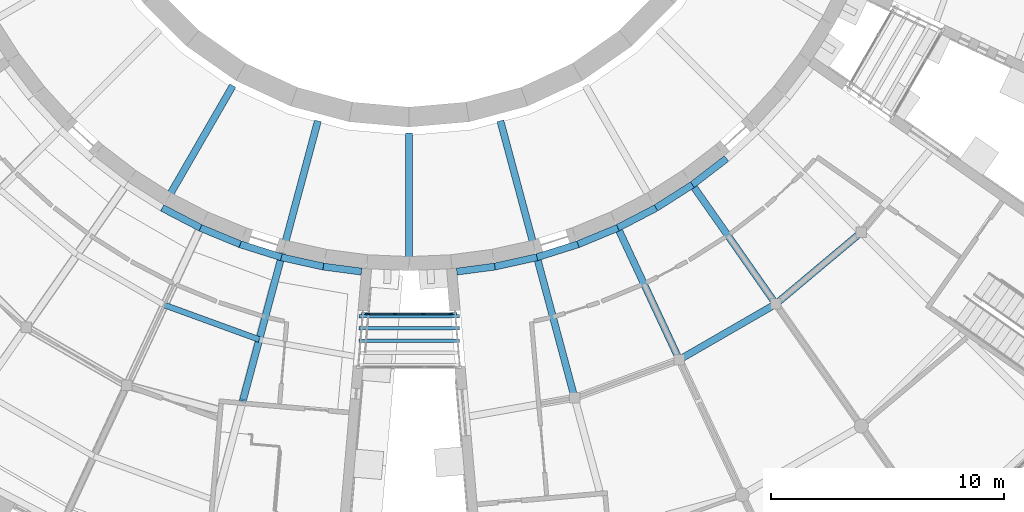
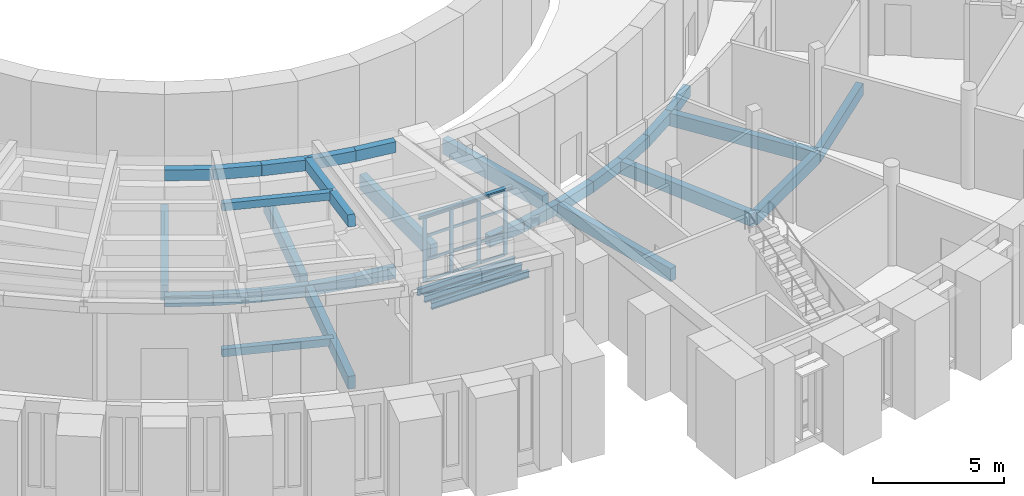
# One storey, part 7 of 66: 34 beams, 16 members, 1 element without a shape of its own.
"""IFC4 building model written with IfcOpenShell, lengths in metres."""

import ifcopenshell
import ifcopenshell.guid

model = None  # the IFC model being written
_history = None  # IfcOwnerHistory: only IFC2X3 demands one
_inside = {}  # id of a spatial element -> (the spatial element, [elements in it])
_under = {}  # id of a project, library or spatial element -> (it, [spatial elements below it])
_declared = {}  # id of a project -> (the project, [libraries it declares])
_typed = {}  # id of a type object -> (the type object, [elements of that type])
_made_of = {}  # id of a material, layer set ... -> (it, [elements and type objects made of it])


def new_model(schema):
    """Start an empty IFC model of exactly this schema.

    Asked for "IFC4X3", IfcOpenShell would pick the latest addendum, in which some entities
    have other attributes; the version numbers below select the first issue.
    IFC2X3 requires an IfcOwnerHistory on every rooted entity: one is made here for all.
    """
    global model, _history
    if schema == "IFC4X3":
        model = ifcopenshell.file(schema_version=(4, 3, 0, 0))
    else:
        model = ifcopenshell.file(schema=schema)
    _inside.clear()
    _under.clear()
    _declared.clear()
    _typed.clear()
    _made_of.clear()
    _history = None
    if model.schema == "IFC2X3":
        org = make("IfcOrganization", Name="unknown")
        user = make(
            "IfcPersonAndOrganization",
            ThePerson=make("IfcPerson", FamilyName="unknown"),
            TheOrganization=org,
        )
        app = make(
            "IfcApplication",
            ApplicationDeveloper=org,
            Version="unknown",
            ApplicationFullName="unknown",
            ApplicationIdentifier="unknown",
        )
        _history = make(
            "IfcOwnerHistory",
            OwningUser=user,
            OwningApplication=app,
            ChangeAction="ADDED",
            CreationDate=0,
        )
    return model


def make(cls, **values):
    """One entity of the class cls with the attributes given. An attribute that is None is left unset."""
    return model.create_entity(
        cls, **{name: value for name, value in values.items() if value is not None}
    )


def rooted(cls, **values):
    """An entity with a GlobalId (a new one), such as an element, a storey or a relation."""
    return make(cls, GlobalId=ifcopenshell.guid.new(), OwnerHistory=_history, **values)


def si_unit(unit_type, name, prefix=None):
    """IfcSIUnit, for example si_unit("LENGTHUNIT", "METRE", prefix="MILLI")."""
    return make("IfcSIUnit", UnitType=unit_type, Prefix=prefix, Name=name)


def assignment(units):
    """IfcUnitAssignment: the units of a project."""
    return None if units is None else make("IfcUnitAssignment", Units=units)


def point(xyz):
    """IfcCartesianPoint."""
    return None if xyz is None else make("IfcCartesianPoint", Coordinates=xyz)


def direction(xyz):
    """IfcDirection."""
    return None if xyz is None else make("IfcDirection", DirectionRatios=xyz)


def frame(location, z_axis=None, x_axis=None):
    """IfcAxis2Placement3D, a coordinate frame: its origin and axes. An axis left out is left unset."""
    return make(
        "IfcAxis2Placement3D",
        Location=point(location),
        Axis=direction(z_axis),
        RefDirection=direction(x_axis),
    )


def frame_2d(location, x_axis=None):
    """IfcAxis2Placement2D, a coordinate frame in the plane: its origin and x axis."""
    return make(
        "IfcAxis2Placement2D", Location=point(location), RefDirection=direction(x_axis)
    )


def origin():
    """The frame at (0, 0, 0) with its axes left unset."""
    return frame((0.0, 0.0, 0.0))


def origin_2d():
    """The frame at (0, 0) in the plane with its x axis left unset."""
    return frame_2d((0.0, 0.0))


def place(relative_to, where):
    """IfcLocalPlacement: puts the frame where relative to a parent placement (None: the world)."""
    return make(
        "IfcLocalPlacement", PlacementRelTo=relative_to, RelativePlacement=where
    )


def context(
    kind, dimensions, precision=None, world=None, true_north=None, identifier=None
):
    """IfcGeometricRepresentationContext, for example the 3D "Model" context."""
    return make(
        "IfcGeometricRepresentationContext",
        ContextIdentifier=identifier,
        ContextType=kind,
        CoordinateSpaceDimension=dimensions,
        Precision=precision,
        WorldCoordinateSystem=world,
        TrueNorth=true_north,
    )


def subcontext(parent, identifier, kind, view, scale=None):
    """IfcGeometricRepresentationSubContext, for example "Body" below "Model"."""
    return make(
        "IfcGeometricRepresentationSubContext",
        ContextIdentifier=identifier,
        ContextType=kind,
        ParentContext=parent,
        TargetScale=scale,
        TargetView=view,
    )


def project(units=None, contexts=None):
    """IfcProject with its units and contexts."""
    return rooted(
        "IfcProject",
        Name="project",
        RepresentationContexts=contexts,
        UnitsInContext=assignment(units),
    )


def spatial(cls, under=None, at=None, **own):
    """A site, building, storey or space (cls), placed at a placement, below another one or the project."""
    s = rooted(cls, ObjectPlacement=at, **own)
    if under is not None:
        _under.setdefault(under.id(), (under, []))[1].append(s)
    return s


def profile(cls, at=None, kind="AREA", **sizes):
    """A parametric profile (cls). Its sizes go by their IFC names, for example OverallWidth=200.0."""
    return make(cls, ProfileType=kind, Position=at, **sizes)


def rectangle(**sizes):
    """IfcRectangleProfileDef."""
    return profile("IfcRectangleProfileDef", **sizes)


def i_section(**sizes):
    """IfcIShapeProfileDef."""
    return profile("IfcIShapeProfileDef", **sizes)


def extrude(swept, where, along, depth):
    """IfcExtrudedAreaSolid: the profile swept, set in the frame where, extruded along a direction by depth."""
    return make(
        "IfcExtrudedAreaSolid",
        SweptArea=swept,
        Position=where,
        ExtrudedDirection=direction(along),
        Depth=depth,
    )


def shape(context_of_items, identifier, shape_type, items):
    """IfcShapeRepresentation: the items that make up one representation, for example the "Body"."""
    return make(
        "IfcShapeRepresentation",
        ContextOfItems=context_of_items,
        RepresentationIdentifier=identifier,
        RepresentationType=shape_type,
        Items=items,
    )


def material(Name=None, Category=None):
    """IfcMaterial."""
    return make("IfcMaterial", Name=Name, Category=Category)


def layer(
    of_material, thickness, ventilated=None, Name=None, Category=None, Priority=None
):
    """IfcMaterialLayer: one layer of a wall or slab, of a material (None: an air gap)."""
    return make(
        "IfcMaterialLayer",
        Material=of_material,
        LayerThickness=thickness,
        IsVentilated=ventilated,
        Name=Name,
        Category=Category,
        Priority=Priority,
    )


def layer_set(layers, Name=None):
    """IfcMaterialLayerSet."""
    return make("IfcMaterialLayerSet", MaterialLayers=layers, LayerSetName=Name)


def material_profile(
    of_material, cross_section, Name=None, Category=None, Priority=None
):
    """IfcMaterialProfile: a cross section and its material."""
    return make(
        "IfcMaterialProfile",
        Name=Name,
        Material=of_material,
        Profile=cross_section,
        Priority=Priority,
        Category=Category,
    )


def profile_set(profiles, Name=None, composite=None):
    """IfcMaterialProfileSet."""
    return make(
        "IfcMaterialProfileSet",
        Name=Name,
        MaterialProfiles=profiles,
        CompositeProfile=composite,
    )


def made_of(thing, what):
    """Note that an element or type object is made of a material, layer set ...; save() writes the relation."""
    if what is not None:
        _made_of.setdefault(what.id(), (what, []))[1].append(thing)
    return thing


def type_object(cls, material=None, **own):
    """A type object (cls), such as IfcWallType, which elements share."""
    return made_of(rooted(cls, **own), material)


def element(
    cls,
    number,
    at=None,
    inside=None,
    cuts=None,
    type_object=None,
    material=None,
    context=None,
    identifier="Body",
    shape_type=None,
    held_by="IfcProductDefinitionShape",
    body=None,
    shapes=None,
    **own,
):
    """One element of the class cls, such as IfcWall. Its Tag is "e" and its number.

    at: its placement. inside: the storey or other place that contains it. cuts: it is an
    opening in that element (IfcRelVoidsElement). A single representation is given by context,
    identifier, shape_type and body (its items); several are given by shapes. held_by: the class
    of the entity that holds the representations. save() writes the other relations.
    """
    e = rooted(cls, Tag="e%d" % number, ObjectPlacement=at, **own)
    if body is not None:
        shapes = [shape(context, identifier, shape_type, body)]
    if shapes is not None:
        e.Representation = make(held_by, Representations=shapes)
    if inside is not None:
        _inside.setdefault(inside.id(), (inside, []))[1].append(e)
    if cuts is not None:
        rooted(
            "IfcRelVoidsElement", RelatingBuildingElement=cuts, RelatedOpeningElement=e
        )
    if type_object is not None:
        _typed.setdefault(type_object.id(), (type_object, []))[1].append(e)
    return made_of(e, material)


def aggregate(whole, parts):
    """IfcRelAggregates: a whole, such as a stair, and the parts it consists of."""
    return rooted("IfcRelAggregates", RelatingObject=whole, RelatedObjects=parts)


def save(model, path):
    """Write the relations noted so far, then the file.

    IfcRelAggregates (storeys below a building ...), IfcRelContainedInSpatialStructure (elements
    in a storey), IfcRelDefinesByType, IfcRelAssociatesMaterial and IfcRelDeclares: one each for
    every whole, place, type object, material and project.
    """
    for whole, parts in _under.values():
        aggregate(whole, parts)
    for where, things in _inside.values():
        rooted(
            "IfcRelContainedInSpatialStructure",
            RelatedElements=things,
            RelatingStructure=where,
        )
    for kind, things in _typed.values():
        rooted("IfcRelDefinesByType", RelatedObjects=things, RelatingType=kind)
    for what, things in _made_of.values():
        rooted("IfcRelAssociatesMaterial", RelatedObjects=things, RelatingMaterial=what)
    for by, libraries in _declared.values():
        rooted("IfcRelDeclares", RelatingContext=by, RelatedDefinitions=libraries)
    model.write(path)


model = new_model("IFC4")

# Units and contexts
model_context = context("Model", 3, precision=1e-05, world=origin(), true_north=direction((0.0, 1.0)))
body_context = subcontext(model_context, "Body", "Model", "MODEL_VIEW")
ifc_project = project(units=[si_unit("LENGTHUNIT", "METRE"), si_unit("AREAUNIT", "SQUARE_METRE"), si_unit("VOLUMEUNIT", "CUBIC_METRE"), si_unit("PLANEANGLEUNIT", "RADIAN"), si_unit("MASSUNIT", "GRAM", prefix="KILO")], contexts=[model_context])

# Site, building, storey
site_placement = place(None, origin())
site = spatial("IfcSite", under=ifc_project, at=site_placement, CompositionType="ELEMENT")
building_placement = place(site_placement, origin())
building = spatial("IfcBuilding", under=site, at=building_placement, Name="Volute Hill Aquarium", CompositionType="ELEMENT")
storey_placement = place(building_placement, frame((0.0, 0.0, 4.60009765625)))
storey = spatial("IfcBuildingStorey", under=building, at=storey_placement, Name="L02", CompositionType="ELEMENT", Elevation=4.60009765625)

# Beams
ifc_material_1 = material(Name="Concrete C35/45", Category="concrete")
ifc_material_profile_1 = material_profile(ifc_material_1, rectangle(XDim=0.300048828125, YDim=0.550048828125, at=origin_2d()), Name="RC beam 300x550")
ifc_profile_set_1 = profile_set([ifc_material_profile_1], Name="Concrete C35/45")
beam_type_1 = type_object("IfcBeamType", Name="Beam 300x550 C35/45", PredefinedType="BEAM", material=ifc_profile_set_1)
beam_1_placement = place(storey_placement, frame((11.57275390625, -24.817626953125, -0.545166015625), z_axis=(0.86602800421, 0.499995495904, 0.0), x_axis=(-0.499995495904, 0.86602800421, 0.0)))
element("IfcBeam", 1, at=beam_1_placement, inside=storey, type_object=beam_type_1, Name="bm/S3/L02/ring1.15", PredefinedType="BEAM", context=body_context, shape_type="SweptSolid", body=[
    extrude(rectangle(XDim=0.300048828125, YDim=0.550048828125, at=origin_2d()), origin(), (0.0, 0.0, 1.0), 4.77294921875),
])
beam_2_placement = place(storey_placement, frame((15.706298828125, -22.43115234375, -0.545166015625), z_axis=(0.766024173382, 0.642811765445, 0.0), x_axis=(-0.642811765445, 0.766024173382, 0.0)))
element("IfcBeam", 2, at=beam_2_placement, inside=storey, type_object=beam_type_1, Name="bm/S3/L02/ring1.16", PredefinedType="BEAM", context=body_context, shape_type="SweptSolid", body=[
    extrude(rectangle(XDim=0.300048828125, YDim=0.550048828125, at=origin_2d()), origin(), (0.0, 0.0, 1.0), 4.7734375),
])
ifc_material_2 = material(Name="Concrete C35/45", Category="concrete")
ifc_material_profile_2 = material_profile(ifc_material_2, rectangle(XDim=0.300048828125, YDim=0.60009765625, at=origin_2d()), Name="RC beam 300x600")
ifc_profile_set_2 = profile_set([ifc_material_profile_2], Name="Concrete C35/45")
beam_type_2 = type_object("IfcBeamType", Name="Beam 300x600 C35/45", PredefinedType="BEAM", material=ifc_profile_set_2)
beam_3_placement = place(storey_placement, frame((-5.435302734375, -20.284423828125, -0.56005859375), z_axis=(-0.258823456338, -0.965924644291, 0.0), x_axis=(0.965924644291, -0.258823456338, 0.0)))
element("IfcBeam", 3, at=beam_3_placement, inside=storey, type_object=beam_type_2, Name="bm/S2/L02/rad4.7", PredefinedType="BEAM", context=body_context, shape_type="SweptSolid", body=[
    extrude(rectangle(XDim=0.300048828125, YDim=0.60009765625, at=origin_2d()), origin(), (0.0, 0.0, 1.0), 6.51806640625),
])
for number, where, z_axis, x_axis, name in (
    (4, (5.435302734375, -20.284423828125, -0.570068359375), (0.258817016244, -0.965926369918, 0.0), (0.965926369918, 0.258817016244, 0.0), "bm/S3/L02/rad1.1"),
    (5, (8.875, -19.032470703125, -0.570068359375), (0.422630002843, -0.906302311978, 0.0), (0.906302311978, 0.422630002843, 0.0), "bm/S3/L02/rad2.4"),
    (6, (12.045166015625, -17.2021484375, -0.570068359375), (0.573549615778, -0.819170823602, 0.0), (0.819170823602, 0.573549615778, 0.0), "bm/S3/L02/rad3.7"),
):
    element("IfcBeam", number, at=place(storey_placement, frame(where, z_axis=z_axis, x_axis=x_axis)), inside=storey, type_object=beam_type_2, Name=name, PredefinedType="BEAM", context=body_context, shape_type="SweptSolid", body=[
        extrude(rectangle(XDim=0.300048828125, YDim=0.60009765625, at=origin_2d()), origin(), (0.0, 0.0, 1.0), 6.38330078125),
    ])
ifc_material_3 = material(Name="Steel S355", Category="steel")
ifc_material_profile_3 = material_profile(ifc_material_3, i_section(OverallWidth=0.14990234375, OverallDepth=0.300048828125, WebThickness=0.007080078125, FlangeThickness=0.0107421875, FilletRadius=0.014892578125, at=origin_2d()), Name="IPE 300")
ifc_profile_set_3 = profile_set([ifc_material_profile_3], Name="Steel S355")
beam_type_3 = type_object("IfcBeamType", Name="Bridge deck beam IPE 300", PredefinedType="BEAM", material=ifc_profile_set_3)
for number, where, z_axis, x_axis, name in (
    (7, (-2.14892578125, -22.949951171875, -0.300048828125), (1.0, 0.0, 0.0), (0.0, 1.0, 0.0), "br/SC3/L02/db0"),
    (8, (-2.14892578125, -23.47509765625, -0.300048828125), (1.0, 0.0, 0.0), (0.0, 1.0, 0.0), "br/SC3/L02/db1"),
    (9, (-2.14892578125, -24.0, -0.300048828125), (1.0, 0.0, 0.0), (0.0, 1.0, 0.0), "br/SC3/L02/db2"),
):
    element("IfcBeam", number, at=place(storey_placement, frame(where, z_axis=z_axis, x_axis=x_axis)), inside=storey, type_object=beam_type_3, Name=name, PredefinedType="BEAM", context=body_context, shape_type="SweptSolid", body=[
        extrude(i_section(OverallWidth=0.14990234375, OverallDepth=0.300048828125, WebThickness=0.007080078125, FlangeThickness=0.0107421875, FilletRadius=0.014892578125, at=origin_2d()), origin(), (0.0, 0.0, 1.0), 4.2978515625),
    ])

# Curtain wall, members
ifc_material_4 = material(Name="Aluminium and glass", Category="aluminium")
ifc_layer = layer(ifc_material_4, 0.1201171875)
ifc_layer_set = layer_set([ifc_layer], Name="Bridge curtain wall")
curtain_wall_type = type_object("IfcCurtainWallType", Name="Bridge curtain wall", PredefinedType="NOTDEFINED", material=ifc_layer_set)
curtain_wall_placement = place(storey_placement, origin())
curtain_wall = element("IfcCurtainWall", 10, at=curtain_wall_placement, inside=storey, type_object=curtain_wall_type, Name="br/SC3/L02/cwa", PredefinedType="NOTDEFINED")
ifc_material_5 = material(Name="Aluminium", Category="aluminium")
ifc_material_profile_4 = material_profile(ifc_material_5, rectangle(XDim=0.06005859375, YDim=0.159912109375, at=origin_2d()), Name="Aluminium mullion 60x160")
ifc_profile_set_4 = profile_set([ifc_material_profile_4], Name="Aluminium")
member_type_1 = type_object("IfcMemberType", Name="Bridge mullion 60x160", PredefinedType="MULLION", material=ifc_profile_set_4)
member_1_placement = place(storey_placement, frame((-1.769287109375, -22.860107421875, 0.0), z_axis=(0.0, 0.0, 1.0), x_axis=(0.0, 1.0, 0.0)))
member_1 = element("IfcMember", 11, at=member_1_placement, type_object=member_type_1, Name="BR5 mullion 1", PredefinedType="MULLION", context=body_context, shape_type="SweptSolid", body=[
    extrude(rectangle(XDim=0.06005859375, YDim=0.159912109375, at=origin_2d()), origin(), (0.0, 0.0, 1.0), 3.0),
])
member_2_placement = place(storey_placement, frame((-0.599853515625, -22.860107421875, 0.0), z_axis=(0.0, 0.0, 1.0), x_axis=(0.0, 1.0, 0.0)))
member_2 = element("IfcMember", 12, at=member_2_placement, type_object=member_type_1, Name="BR5 mullion 2", PredefinedType="MULLION", context=body_context, shape_type="SweptSolid", body=[
    extrude(rectangle(XDim=0.06005859375, YDim=0.159912109375, at=origin_2d()), origin(), (0.0, 0.0, 1.0), 3.0),
])
member_3_placement = place(storey_placement, frame((0.599853515625, -22.860107421875, 0.0), z_axis=(0.0, 0.0, 1.0), x_axis=(0.0, 1.0, 0.0)))
member_3 = element("IfcMember", 13, at=member_3_placement, type_object=member_type_1, Name="BR5 mullion 3", PredefinedType="MULLION", context=body_context, shape_type="SweptSolid", body=[
    extrude(rectangle(XDim=0.06005859375, YDim=0.159912109375, at=origin_2d()), origin(), (0.0, 0.0, 1.0), 3.0),
])
member_4_placement = place(storey_placement, frame((1.769287109375, -22.860107421875, 0.0), z_axis=(0.0, 0.0, 1.0), x_axis=(0.0, 1.0, 0.0)))
member_4 = element("IfcMember", 14, at=member_4_placement, type_object=member_type_1, Name="BR5 mullion 4", PredefinedType="MULLION", context=body_context, shape_type="SweptSolid", body=[
    extrude(rectangle(XDim=0.06005859375, YDim=0.159912109375, at=origin_2d()), origin(), (0.0, 0.0, 1.0), 3.0),
])

# Beam
ifc_material_6 = material(Name="Steel S355", Category="steel")
ifc_material_profile_5 = material_profile(ifc_material_6, i_section(OverallWidth=0.159912109375, OverallDepth=0.152099609375, WebThickness=0.006103515625, FlangeThickness=0.009033203125, FilletRadius=0.014892578125, at=origin_2d()), Name="HEA 160")
ifc_profile_set_5 = profile_set([ifc_material_profile_5], Name="Steel S355")
beam_type_4 = type_object("IfcBeamType", Name="Bridge roof edge beam HEA 160", PredefinedType="BEAM", material=ifc_profile_set_5)
beam_4_placement = place(storey_placement, frame((-2.051025390625, -22.8798828125, 3.075927734375), z_axis=(1.0, 0.0, 0.0), x_axis=(0.0, 1.0, 0.0)))
element("IfcBeam", 15, at=beam_4_placement, inside=storey, type_object=beam_type_4, Name="br/SC3/L02/rba", PredefinedType="BEAM", context=body_context, shape_type="SweptSolid", body=[
    extrude(i_section(OverallWidth=0.159912109375, OverallDepth=0.152099609375, WebThickness=0.006103515625, FlangeThickness=0.009033203125, FilletRadius=0.014892578125, at=origin_2d()), origin(), (0.0, 0.0, 1.0), 4.10205078125),
])

# Member
ifc_material_7 = material(Name="Aluminium", Category="aluminium")
ifc_material_profile_6 = material_profile(ifc_material_7, rectangle(XDim=0.06005859375, YDim=0.1201171875, at=origin_2d()), Name="Aluminium transom 60x120")
ifc_profile_set_6 = profile_set([ifc_material_profile_6], Name="Aluminium")
member_type_2 = type_object("IfcMemberType", Name="Bridge transom 60x120", PredefinedType="USERDEFINED", material=ifc_profile_set_6)
member_5_placement = place(storey_placement, frame((-1.7392578125, -22.860107421875, 0.02978515625), z_axis=(1.0, 0.0, 0.0), x_axis=(0.0, 1.0, 0.0)))
member_5 = element("IfcMember", 16, at=member_5_placement, type_object=member_type_2, Name="BR5 transom 1.1", ObjectType="TRANSOM", PredefinedType="USERDEFINED", context=body_context, shape_type="SweptSolid", body=[
    extrude(rectangle(XDim=0.06005859375, YDim=0.1201171875, at=origin_2d()), origin(), (0.0, 0.0, 1.0), 1.109619140625),
])

member_6_placement = place(storey_placement, frame((-1.7392578125, -22.860107421875, 1.0), z_axis=(1.0, 0.0, 0.0), x_axis=(0.0, 1.0, 0.0)))
member_6 = element("IfcMember", 17, at=member_6_placement, type_object=member_type_2, Name="BR5 transom 1.2", ObjectType="TRANSOM", PredefinedType="USERDEFINED", context=body_context, shape_type="SweptSolid", body=[
    extrude(rectangle(XDim=0.06005859375, YDim=0.1201171875, at=origin_2d()), origin(), (0.0, 0.0, 1.0), 1.109619140625),
])

member_7_placement = place(storey_placement, frame((-1.7392578125, -22.860107421875, 2.099853515625), z_axis=(1.0, 0.0, 0.0), x_axis=(0.0, 1.0, 0.0)))
member_7 = element("IfcMember", 18, at=member_7_placement, type_object=member_type_2, Name="BR5 transom 1.3", ObjectType="TRANSOM", PredefinedType="USERDEFINED", context=body_context, shape_type="SweptSolid", body=[
    extrude(rectangle(XDim=0.06005859375, YDim=0.1201171875, at=origin_2d()), origin(), (0.0, 0.0, 1.0), 1.109619140625),
])

member_8_placement = place(storey_placement, frame((-1.7392578125, -22.860107421875, 2.969970703125), z_axis=(1.0, 0.0, 0.0), x_axis=(0.0, 1.0, 0.0)))
member_8 = element("IfcMember", 19, at=member_8_placement, type_object=member_type_2, Name="BR5 transom 1.4", ObjectType="TRANSOM", PredefinedType="USERDEFINED", context=body_context, shape_type="SweptSolid", body=[
    extrude(rectangle(XDim=0.06005859375, YDim=0.1201171875, at=origin_2d()), origin(), (0.0, 0.0, 1.0), 1.109619140625),
])

member_9_placement = place(storey_placement, frame((-0.56982421875, -22.860107421875, 0.02978515625), z_axis=(1.0, 0.0, 0.0), x_axis=(0.0, 1.0, 0.0)))
member_9 = element("IfcMember", 20, at=member_9_placement, type_object=member_type_2, Name="BR5 transom 2.1", ObjectType="TRANSOM", PredefinedType="USERDEFINED", context=body_context, shape_type="SweptSolid", body=[
    extrude(rectangle(XDim=0.06005859375, YDim=0.1201171875, at=origin_2d()), origin(), (0.0, 0.0, 1.0), 1.1396484375),
])

member_10_placement = place(storey_placement, frame((-0.56982421875, -22.860107421875, 1.0), z_axis=(1.0, 0.0, 0.0), x_axis=(0.0, 1.0, 0.0)))
member_10 = element("IfcMember", 21, at=member_10_placement, type_object=member_type_2, Name="BR5 transom 2.2", ObjectType="TRANSOM", PredefinedType="USERDEFINED", context=body_context, shape_type="SweptSolid", body=[
    extrude(rectangle(XDim=0.06005859375, YDim=0.1201171875, at=origin_2d()), origin(), (0.0, 0.0, 1.0), 1.1396484375),
])

member_11_placement = place(storey_placement, frame((-0.56982421875, -22.860107421875, 2.099853515625), z_axis=(1.0, 0.0, 0.0), x_axis=(0.0, 1.0, 0.0)))
member_11 = element("IfcMember", 22, at=member_11_placement, type_object=member_type_2, Name="BR5 transom 2.3", ObjectType="TRANSOM", PredefinedType="USERDEFINED", context=body_context, shape_type="SweptSolid", body=[
    extrude(rectangle(XDim=0.06005859375, YDim=0.1201171875, at=origin_2d()), origin(), (0.0, 0.0, 1.0), 1.1396484375),
])

member_12_placement = place(storey_placement, frame((-0.56982421875, -22.860107421875, 2.969970703125), z_axis=(1.0, 0.0, 0.0), x_axis=(0.0, 1.0, 0.0)))
member_12 = element("IfcMember", 23, at=member_12_placement, type_object=member_type_2, Name="BR5 transom 2.4", ObjectType="TRANSOM", PredefinedType="USERDEFINED", context=body_context, shape_type="SweptSolid", body=[
    extrude(rectangle(XDim=0.06005859375, YDim=0.1201171875, at=origin_2d()), origin(), (0.0, 0.0, 1.0), 1.1396484375),
])

member_13_placement = place(storey_placement, frame((0.629638671875, -22.860107421875, 0.02978515625), z_axis=(1.0, 0.0, 0.0), x_axis=(0.0, 1.0, 0.0)))
member_13 = element("IfcMember", 24, at=member_13_placement, type_object=member_type_2, Name="BR5 transom 3.1", ObjectType="TRANSOM", PredefinedType="USERDEFINED", context=body_context, shape_type="SweptSolid", body=[
    extrude(rectangle(XDim=0.06005859375, YDim=0.1201171875, at=origin_2d()), origin(), (0.0, 0.0, 1.0), 1.109619140625),
])

member_14_placement = place(storey_placement, frame((0.629638671875, -22.860107421875, 1.0), z_axis=(1.0, 0.0, 0.0), x_axis=(0.0, 1.0, 0.0)))
member_14 = element("IfcMember", 25, at=member_14_placement, type_object=member_type_2, Name="BR5 transom 3.2", ObjectType="TRANSOM", PredefinedType="USERDEFINED", context=body_context, shape_type="SweptSolid", body=[
    extrude(rectangle(XDim=0.06005859375, YDim=0.1201171875, at=origin_2d()), origin(), (0.0, 0.0, 1.0), 1.109619140625),
])

member_15_placement = place(storey_placement, frame((0.629638671875, -22.860107421875, 2.099853515625), z_axis=(1.0, 0.0, 0.0), x_axis=(0.0, 1.0, 0.0)))
member_15 = element("IfcMember", 26, at=member_15_placement, type_object=member_type_2, Name="BR5 transom 3.3", ObjectType="TRANSOM", PredefinedType="USERDEFINED", context=body_context, shape_type="SweptSolid", body=[
    extrude(rectangle(XDim=0.06005859375, YDim=0.1201171875, at=origin_2d()), origin(), (0.0, 0.0, 1.0), 1.109619140625),
])

member_16_placement = place(storey_placement, frame((0.629638671875, -22.860107421875, 2.969970703125), z_axis=(1.0, 0.0, 0.0), x_axis=(0.0, 1.0, 0.0)))
member_16 = element("IfcMember", 27, at=member_16_placement, type_object=member_type_2, Name="BR5 transom 3.4", ObjectType="TRANSOM", PredefinedType="USERDEFINED", context=body_context, shape_type="SweptSolid", body=[
    extrude(rectangle(XDim=0.06005859375, YDim=0.1201171875, at=origin_2d()), origin(), (0.0, 0.0, 1.0), 1.109619140625),
])

aggregate(curtain_wall, [member_1, member_2, member_3, member_4, member_5, member_6, member_7, member_8, member_9, member_10, member_11, member_12, member_13, member_14, member_15, member_16])

# Beams
ifc_material_8 = material(Name="Concrete C35/45", Category="concrete")
ifc_material_profile_7 = material_profile(ifc_material_8, rectangle(XDim=0.300048828125, YDim=0.5, at=origin_2d()), Name="RC edge beam 300x500")
ifc_profile_set_7 = profile_set([ifc_material_profile_7], Name="Concrete C35/45")
beam_type_5 = type_object("IfcBeamType", Name="Edge beam 300x500 C35/45", PredefinedType="BEAM", material=ifc_profile_set_7)
beam_5_placement = place(storey_placement, frame((-10.5751953125, -18.316650390625, -0.510009765625), z_axis=(0.887058600994, -0.461656840523, 0.0), x_axis=(0.461656840523, 0.887058600994, 0.0)))
element("IfcBeam", 28, at=beam_5_placement, inside=storey, type_object=beam_type_5, Name="bm/S2/L02/edgeD.17", PredefinedType="BEAM", context=body_context, shape_type="SweptSolid", body=[
    extrude(rectangle(XDim=0.300048828125, YDim=0.5, at=origin_2d()), origin(), (0.0, 0.0, 1.0), 1.84521484375),
])
beam_6_placement = place(storey_placement, frame((-8.9384765625, -19.16845703125, -0.510009765625), z_axis=(0.923881361379, -0.382679017059, 0.0), x_axis=(0.382679017059, 0.923881361379, 0.0)))
element("IfcBeam", 29, at=beam_6_placement, inside=storey, type_object=beam_type_5, Name="bm/S2/L02/edgeD.18", PredefinedType="BEAM", context=body_context, shape_type="SweptSolid", body=[
    extrude(rectangle(XDim=0.300048828125, YDim=0.5, at=origin_2d()), origin(), (0.0, 0.0, 1.0), 1.844970703125),
])
for number, where, z_axis, x_axis, name in (
    (30, (-7.23388671875, -19.87451171875, -0.510009765625), (0.953704567191, -0.300745072312, 0.0), (0.300745072312, 0.953704567191, 0.0), "bm/S2/L02/edgeD.19"),
    (31, (-5.47412109375, -20.429443359375, -0.510009765625), (0.976292789523, -0.216454127071, 0.0), (0.216454127071, 0.976292789523, 0.0), "bm/S2/L02/edgeD.20"),
):
    element("IfcBeam", number, at=place(storey_placement, frame(where, z_axis=z_axis, x_axis=x_axis)), inside=storey, type_object=beam_type_5, Name=name, PredefinedType="BEAM", context=body_context, shape_type="SweptSolid", body=[
        extrude(rectangle(XDim=0.300048828125, YDim=0.5, at=origin_2d()), origin(), (0.0, 0.0, 1.0), 1.84521484375),
    ])
beam_7_placement = place(storey_placement, frame((-3.672607421875, -20.828857421875, -0.510009765625), z_axis=(0.99143407694, -0.130608081992, 0.0), x_axis=(0.130608081992, 0.99143407694, 0.0)))
element("IfcBeam", 32, at=beam_7_placement, inside=storey, type_object=beam_type_5, Name="bm/S2/L02/edgeD.21", PredefinedType="BEAM", context=body_context, shape_type="SweptSolid", body=[
    extrude(rectangle(XDim=0.300048828125, YDim=0.5, at=origin_2d()), origin(), (0.0, 0.0, 1.0), 1.64501953125),
])
for number, where, z_axis, x_axis, name in (
    (33, (-10.5751953125, -18.316650390625, 5.35107421875), (0.887002501935, -0.461627644578, -0.011246302605), (0.461656840523, 0.887058600994, 0.0), "rb/S2/L02/edgeD.17"),
    (34, (-8.9384765625, -19.16845703125, 5.330322265625), (0.923822928729, -0.38265481379, 0.011246770115), (0.382679017059, 0.923881361379, 0.0), "rb/S2/L02/edgeD.18"),
    (35, (-7.23388671875, -19.87451171875, 5.35107421875), (0.953644258668, -0.300726054377, -0.011245804937), (0.300745072312, 0.953704567191, 0.0), "rb/S2/L02/edgeD.19"),
):
    element("IfcBeam", number, at=place(storey_placement, frame(where, z_axis=z_axis, x_axis=x_axis)), inside=storey, type_object=beam_type_5, Name=name, PredefinedType="BEAM", context=body_context, shape_type="SweptSolid", body=[
        extrude(rectangle(XDim=0.300048828125, YDim=0.5, at=origin_2d()), origin(), (0.0, 0.0, 1.0), 1.84521484375),
    ])
beam_8_placement = place(storey_placement, frame((-5.47412109375, -20.429443359375, 5.330322265625), z_axis=(0.976231057304, -0.216440440405, 0.011245377405), x_axis=(0.216454127071, 0.976292789523, 0.0)))
element("IfcBeam", 36, at=beam_8_placement, inside=storey, type_object=beam_type_5, Name="rb/S2/L02/edgeD.20", PredefinedType="BEAM", context=body_context, shape_type="SweptSolid", body=[
    extrude(rectangle(XDim=0.300048828125, YDim=0.5, at=origin_2d()), origin(), (0.0, 0.0, 1.0), 1.845458984375),
])
for number, where, z_axis, x_axis, name in (
    (37, (-3.672607421875, -20.828857421875, 5.35107421875), (0.991371011076, -0.130599773914, -0.011279071384), (0.130608081992, 0.99143407694, 0.0), "rb/S2/L02/edgeD.21"),
    (38, (2.041748046875, -21.043701171875, -0.52001953125), (0.99143407694, 0.130608081992, 0.0), (-0.130608081992, 0.99143407694, 0.0), "bm/S3/L02/edgeD.21"),
):
    element("IfcBeam", number, at=place(storey_placement, frame(where, z_axis=z_axis, x_axis=x_axis)), inside=storey, type_object=beam_type_5, Name=name, PredefinedType="BEAM", context=body_context, shape_type="SweptSolid", body=[
        extrude(rectangle(XDim=0.300048828125, YDim=0.5, at=origin_2d()), origin(), (0.0, 0.0, 1.0), 1.64501953125),
    ])
for number, where, z_axis, x_axis, name in (
    (39, (3.672607421875, -20.828857421875, -0.52001953125), (0.976292789523, 0.216454127071, 0.0), (-0.216454127071, 0.976292789523, 0.0), "bm/S3/L02/edgeD.22"),
    (40, (5.47412109375, -20.429443359375, -0.52001953125), (0.953704567191, 0.300745072312, 0.0), (-0.300745072312, 0.953704567191, 0.0), "bm/S3/L02/edgeD.23"),
):
    element("IfcBeam", number, at=place(storey_placement, frame(where, z_axis=z_axis, x_axis=x_axis)), inside=storey, type_object=beam_type_5, Name=name, PredefinedType="BEAM", context=body_context, shape_type="SweptSolid", body=[
        extrude(rectangle(XDim=0.300048828125, YDim=0.5, at=origin_2d()), origin(), (0.0, 0.0, 1.0), 1.84521484375),
    ])
beam_9_placement = place(storey_placement, frame((7.23388671875, -19.87451171875, -0.52001953125), z_axis=(0.923881361379, 0.382679017059, 0.0), x_axis=(-0.382679017059, 0.923881361379, 0.0)))
element("IfcBeam", 41, at=beam_9_placement, inside=storey, type_object=beam_type_5, Name="bm/S3/L02/edgeD.24", PredefinedType="BEAM", context=body_context, shape_type="SweptSolid", body=[
    extrude(rectangle(XDim=0.300048828125, YDim=0.5, at=origin_2d()), origin(), (0.0, 0.0, 1.0), 1.844970703125),
])
beam_10_placement = place(storey_placement, frame((8.9384765625, -19.16845703125, -0.52001953125), z_axis=(0.887058600994, 0.461656840523, 0.0), x_axis=(-0.461656840523, 0.887058600994, 0.0)))
element("IfcBeam", 42, at=beam_10_placement, inside=storey, type_object=beam_type_5, Name="bm/S3/L02/edgeD.25", PredefinedType="BEAM", context=body_context, shape_type="SweptSolid", body=[
    extrude(rectangle(XDim=0.300048828125, YDim=0.5, at=origin_2d()), origin(), (0.0, 0.0, 1.0), 1.84521484375),
])
beam_11_placement = place(storey_placement, frame((10.5751953125, -18.316650390625, -0.52001953125), z_axis=(0.843334400185, 0.537389141558, 0.0), x_axis=(-0.537389141558, 0.843334400185, 0.0)))
element("IfcBeam", 43, at=beam_11_placement, inside=storey, type_object=beam_type_5, Name="bm/S3/L02/edgeD.26", PredefinedType="BEAM", context=body_context, shape_type="SweptSolid", body=[
    extrude(rectangle(XDim=0.300048828125, YDim=0.5, at=origin_2d()), origin(), (0.0, 0.0, 1.0), 1.844970703125),
])
beam_12_placement = place(storey_placement, frame((12.131103515625, -17.3251953125, -0.52001953125), z_axis=(0.79334647843, 0.608770371457, 0.0), x_axis=(-0.608770371457, 0.79334647843, 0.0)))
element("IfcBeam", 44, at=beam_12_placement, inside=storey, type_object=beam_type_5, Name="bm/S3/L02/edgeD.27", PredefinedType="BEAM", context=body_context, shape_type="SweptSolid", body=[
    extrude(rectangle(XDim=0.300048828125, YDim=0.5, at=origin_2d()), origin(), (0.0, 0.0, 1.0), 1.84521484375),
])
ifc_material_9 = material(Name="Concrete C35/45", Category="concrete")
ifc_material_profile_8 = material_profile(ifc_material_9, rectangle(XDim=0.300048828125, YDim=0.699951171875, at=origin_2d()), Name="RC beam 300x700")
ifc_profile_set_8 = profile_set([ifc_material_profile_8], Name="Concrete C35/45")
beam_type_6 = type_object("IfcBeamType", Name="Gallery beam RC 300x700", PredefinedType="BEAM", material=ifc_profile_set_8)
beam_13_placement = place(storey_placement, frame((-7.550048828125, -13.076904296875, -0.650146484375), z_axis=(-0.499995103361, -0.866028230842, 0.0), x_axis=(0.866028230842, -0.499995103361, 0.0)))
element("IfcBeam", 45, at=beam_13_placement, inside=storey, type_object=beam_type_6, Name="bm/DR/L02/16", PredefinedType="BEAM", context=body_context, shape_type="SweptSolid", body=[
    extrude(rectangle(XDim=0.300048828125, YDim=0.699951171875, at=origin_2d()), origin(), (0.0, 0.0, 1.0), 5.39990234375),
])
beam_14_placement = place(storey_placement, frame((-3.908203125, -14.58544921875, -0.650146484375), z_axis=(-0.258830244561, -0.965922825334, 0.0), x_axis=(0.965922825334, -0.258830244561, 0.0)))
element("IfcBeam", 46, at=beam_14_placement, inside=storey, type_object=beam_type_6, Name="bm/DR/L02/17", PredefinedType="BEAM", context=body_context, shape_type="SweptSolid", body=[
    extrude(rectangle(XDim=0.300048828125, YDim=0.699951171875, at=origin_2d()), origin(), (0.0, 0.0, 1.0), 5.400146484375),
])
beam_15_placement = place(storey_placement, frame((0.0, -15.10009765625, -0.650146484375), z_axis=(0.0, -1.0, 0.0), x_axis=(1.0, 0.0, 0.0)))
element("IfcBeam", 47, at=beam_15_placement, inside=storey, type_object=beam_type_6, Name="bm/DR/L02/18", PredefinedType="BEAM", context=body_context, shape_type="SweptSolid", body=[
    extrude(rectangle(XDim=0.300048828125, YDim=0.699951171875, at=origin_2d()), origin(), (0.0, 0.0, 1.0), 5.39990234375),
])
beam_16_placement = place(storey_placement, frame((3.908203125, -14.58544921875, -0.650146484375), z_axis=(0.258830244561, -0.965922825334, 0.0), x_axis=(0.965922825334, 0.258830244561, 0.0)))
element("IfcBeam", 48, at=beam_16_placement, inside=storey, type_object=beam_type_6, Name="bm/DR/L02/19", PredefinedType="BEAM", context=body_context, shape_type="SweptSolid", body=[
    extrude(rectangle(XDim=0.300048828125, YDim=0.699951171875, at=origin_2d()), origin(), (0.0, 0.0, 1.0), 5.400146484375),
])
ifc_material_10 = material(Name="Concrete C35/45", Category="concrete")
ifc_material_profile_9 = material_profile(ifc_material_10, rectangle(XDim=0.25, YDim=0.35009765625, at=origin_2d()), Name="RC joist 250x350")
ifc_profile_set_9 = profile_set([ifc_material_profile_9], Name="Concrete C35/45")
beam_type_7 = type_object("IfcBeamType", Name="Joist 250x350 C35/45", PredefinedType="BEAM", material=ifc_profile_set_9)
for number, where, z_axis, x_axis, name in (
    (49, (-10.48095703125, -22.476318359375, -0.43505859375), (0.93967629748, -0.34206498791, 0.0), (0.34206498791, 0.93967629748, 0.0), "bm/S2/L02/jst4"),
    (50, (-10.48095703125, -22.476318359375, 6.343505859375), (0.93967629748, -0.34206498791, 0.0), (0.34206498791, 0.93967629748, 0.0), "rb/S2/L02/jst4"),
):
    element("IfcBeam", number, at=place(storey_placement, frame(where, z_axis=z_axis, x_axis=x_axis)), inside=storey, type_object=beam_type_7, Name=name, PredefinedType="BEAM", context=body_context, shape_type="SweptSolid", body=[
        extrude(rectangle(XDim=0.25, YDim=0.35009765625, at=origin_2d()), origin(), (0.0, 0.0, 1.0), 4.322998046875),
    ])
ifc_material_11 = material(Name="Concrete C35/45", Category="concrete")
ifc_material_profile_10 = material_profile(ifc_material_11, rectangle(XDim=0.300048828125, YDim=0.5, at=origin_2d()), Name="RC rib 300x500")
ifc_profile_set_10 = profile_set([ifc_material_profile_10], Name="Concrete C35/45")
beam_type_8 = type_object("IfcBeamType", Name="Roof rib 300x500 C35/45", PredefinedType="BEAM", material=ifc_profile_set_10)
beam_17_placement = place(storey_placement, frame((-5.435302734375, -20.284423828125, 5.28369140625), z_axis=(-0.250673515354, -0.935509206072, 0.248968500127), x_axis=(0.965924644291, -0.258823456338, 0.0)))
element("IfcBeam", 51, at=beam_17_placement, inside=storey, type_object=beam_type_8, Name="rb/S2/L02/rib4.7", PredefinedType="BEAM", context=body_context, shape_type="SweptSolid", body=[
    extrude(rectangle(XDim=0.300048828125, YDim=0.5, at=origin_2d()), origin(), (0.0, 0.0, 1.0), 6.72998046875),
])

save(model, "model.ifc")
